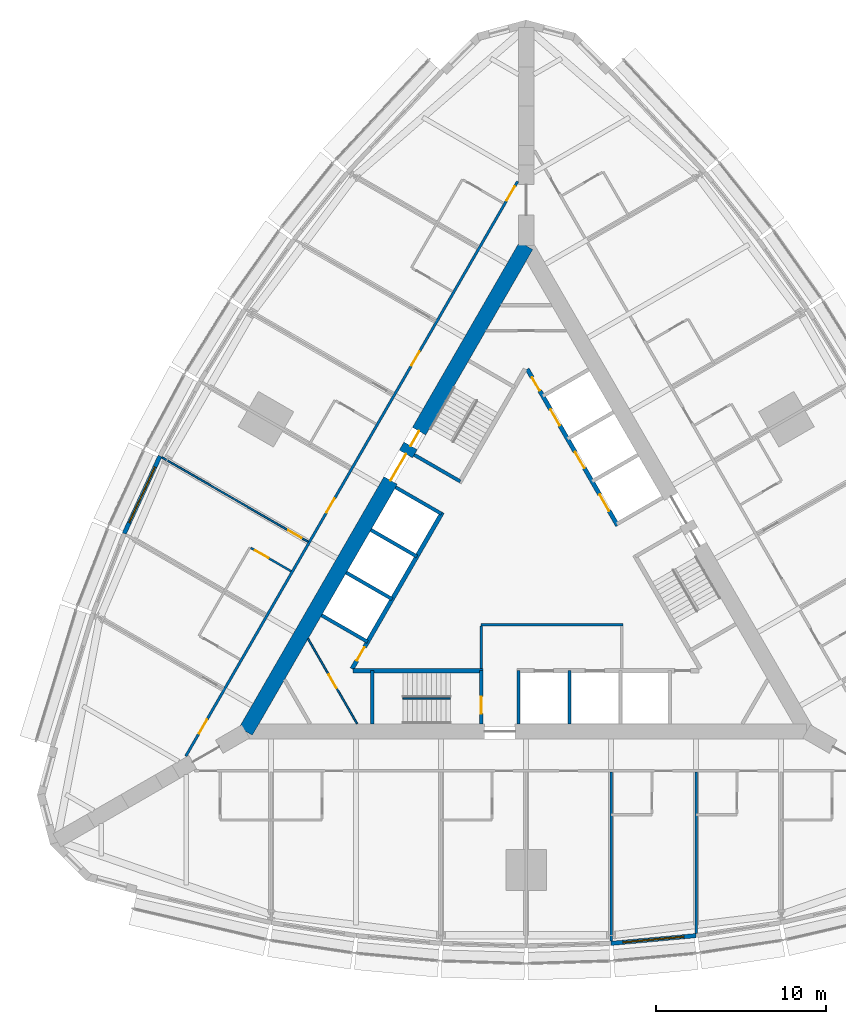
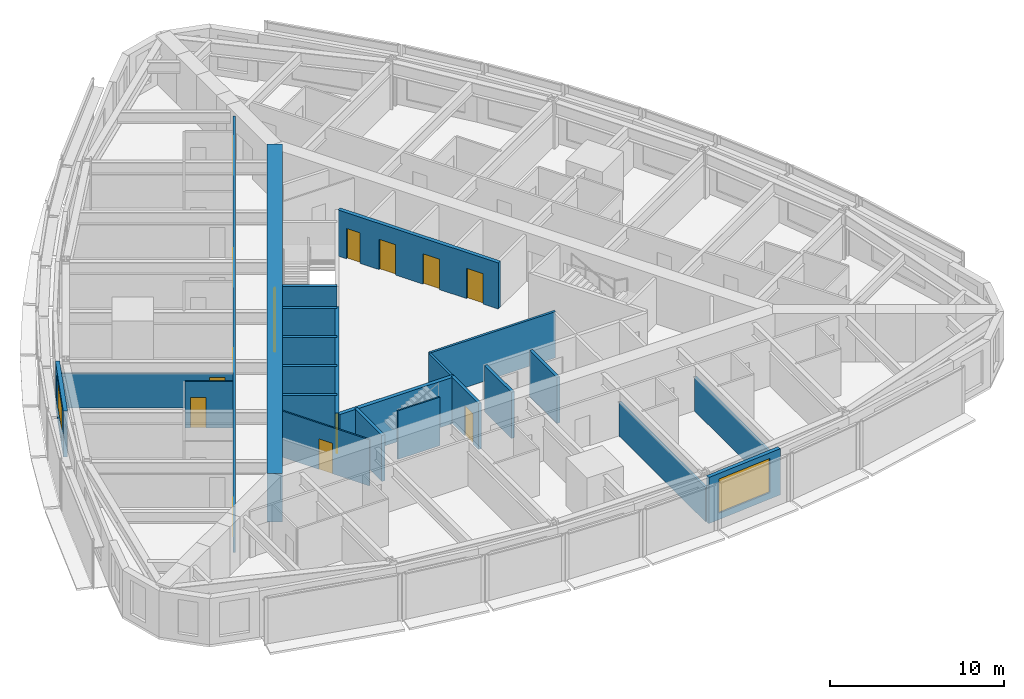
# One storey, part 9 of 14: 24 walls, 15 doors, 2 windows, 17 openings.
"""IFC4 building model written with IfcOpenShell, lengths in metres."""

from ifc_helpers import new_model, si_unit, direction, frame, frame_2d, origin, place, context, subcontext, project, spatial, rectangle, extrude, material, layer, layer_set, type_object, element, fill, save


model = new_model("IFC4")

# Units and contexts
model_context = context("Model", 3, precision=1e-05, world=origin(), true_north=direction((0.0, 1.0)))
body_context = subcontext(model_context, "Body", "Model", "MODEL_VIEW")
ifc_project = project(units=[si_unit("LENGTHUNIT", "METRE"), si_unit("AREAUNIT", "SQUARE_METRE"), si_unit("VOLUMEUNIT", "CUBIC_METRE"), si_unit("PLANEANGLEUNIT", "RADIAN"), si_unit("MASSUNIT", "GRAM", prefix="KILO")], contexts=[model_context])

# Site, building, storey
site_placement = place(None, origin())
site = spatial("IfcSite", under=ifc_project, at=site_placement, CompositionType="ELEMENT")
building_placement = place(site_placement, origin())
building = spatial("IfcBuilding", under=site, at=building_placement, Name="Trikona Tower", CompositionType="ELEMENT")
storey_placement = place(building_placement, frame((0.0, 0.0, 82.89990234375)))
storey = spatial("IfcBuildingStorey", under=building, at=storey_placement, Name="L21", CompositionType="ELEMENT", Elevation=82.89990234375)

# Wall, opening, door
ifc_material_1 = material(Name="Metal stud and cement board", Category="gypsum")
ifc_layer_1 = layer(ifc_material_1, 0.1201171875)
ifc_layer_set_1 = layer_set([ifc_layer_1], Name="Bathroom wall 120")
wall_type_1 = type_object("IfcWallType", Name="Bathroom wall 120", PredefinedType="PLUMBINGWALL", material=ifc_layer_set_1)
wall_1_placement = place(storey_placement, frame((-13.82861328125, -0.09912109375, 0.0), z_axis=(0.0, 0.0, 1.0), x_axis=(-0.865997131366, 0.500048966069, 0.0)))
wall_1 = element("IfcWall", 1, at=wall_1_placement, inside=storey, type_object=wall_type_1, Name="Bathroom wall 2115.1", PredefinedType="PLUMBINGWALL", context=body_context, shape_type="SweptSolid", body=[
    extrude(rectangle(XDim=2.739990234375, YDim=0.1201171875, at=frame_2d((1.3701171875, 0.0))), origin(), (0.0, 0.0, 1.0), 3.235107421875),
])
opening_1_placement = place(wall_1_placement, frame((1.550048828125, 0.0, 0.0)))
opening_1 = element("IfcOpeningElement", 2, at=opening_1_placement, cuts=wall_1, Name="Opening D2", PredefinedType="OPENING", context=body_context, shape_type="SweptSolid", body=[
    extrude(rectangle(XDim=0.89990234375, YDim=2.1298828125, at=frame_2d((0.449951171875, 1.06494140625))), frame((0.0, 0.070068359375, 0.0), z_axis=(0.0, -1.0, 0.0), x_axis=(1.0, 0.0, 0.0)), (0.0, 0.0, 1.0), 0.14013671875),
])
ifc_material_2 = material(Name="Steel door frame with solid-core timber leaf", Category="steel")
door_type_1 = type_object("IfcDoorType", Name="Bathroom door 900x2130", OperationType="SLIDING_TO_LEFT", PredefinedType="DOOR", material=ifc_material_2)
door_1_placement = place(opening_1_placement, origin())
door_1 = element("IfcDoor", 3, at=door_1_placement, inside=storey, type_object=door_type_1, Name="Bathroom door 2115.1", OperationType="SLIDING_TO_LEFT", OverallHeight=2.1298828125, OverallWidth=0.89990234375, PredefinedType="DOOR", context=body_context, shape_type="SweptSolid", body=[
    extrude(rectangle(XDim=0.89990234375, YDim=2.1298828125, at=frame_2d((0.449951171875, 1.06494140625))), frame((0.0, 0.02490234375, 0.0), z_axis=(0.0, -1.0, 0.0), x_axis=(1.0, 0.0, 0.0)), (0.0, 0.0, 1.0), 0.050048828125),
])
fill(opening_1, door_1)

# Wall, openings, doors
ifc_material_3 = material(Name="Concrete f'c 10000 psi", Category="concrete")
ifc_layer_2 = layer(ifc_material_3, 0.89990234375)
ifc_layer_set_2 = layer_set([ifc_layer_2], Name="Core wall 900")
wall_type_2 = type_object("IfcWallType", Name="Core wall 900", PredefinedType="SHEAR", material=ifc_layer_set_2)
wall_2_placement = place(storey_placement, frame((0.0, 19.052490234375, 0.0), z_axis=(0.0, 0.0, 1.0), x_axis=(-0.499999749417, -0.866025548458, 0.0)))
wall_2 = element("IfcWall", 4, at=wall_2_placement, inside=storey, type_object=wall_type_2, Name="Core wall C", PredefinedType="SHEAR", context=body_context, shape_type="SweptSolid", body=[
    extrude(rectangle(XDim=33.0, YDim=0.89990234375, at=frame_2d((16.5, 0.0))), origin(), (0.0, 0.0, 1.0), 3.400146484375),
])
opening_2_placement = place(wall_2_placement, frame((14.14990234375, 0.0, 0.0)))
opening_2 = element("IfcOpeningElement", 5, at=opening_2_placement, cuts=wall_2, Name="Opening D6", PredefinedType="OPENING", context=body_context, shape_type="SweptSolid", body=[
    extrude(rectangle(XDim=1.800048828125, YDim=2.1298828125, at=frame_2d((0.89990234375, 1.06494140625))), frame((0.0, 0.4599609375, 0.0), z_axis=(0.0, -1.0, 0.0), x_axis=(1.0, 0.0, 0.0)), (0.0, 0.0, 1.0), 0.919921875),
])
opening_3_placement = place(wall_2_placement, frame((12.60009765625, 0.0, 0.0)))
opening_3 = element("IfcOpeningElement", 6, at=opening_3_placement, cuts=wall_2, Name="Opening D5", PredefinedType="OPENING", context=body_context, shape_type="SweptSolid", body=[
    extrude(rectangle(XDim=1.0, YDim=2.1298828125, at=frame_2d((0.5, 1.06494140625))), frame((0.0, 0.4599609375, 0.0), z_axis=(0.0, -1.0, 0.0), x_axis=(1.0, 0.0, 0.0)), (0.0, 0.0, 1.0), 0.919921875),
])
ifc_material_4 = material(Name="Hollow metal door and frame", Category="steel")
door_type_2 = type_object("IfcDoorType", Name="Lobby door pair 1800x2130", OperationType="DOUBLE_DOOR_SINGLE_SWING", PredefinedType="DOOR", material=ifc_material_4)
door_2_placement = place(opening_2_placement, origin())
door_2 = element("IfcDoor", 7, at=door_2_placement, inside=storey, type_object=door_type_2, Name="Lift lobby door C", OperationType="DOUBLE_DOOR_SINGLE_SWING", OverallHeight=2.1298828125, OverallWidth=1.800048828125, PredefinedType="DOOR", context=body_context, shape_type="SweptSolid", body=[
    extrude(rectangle(XDim=1.800048828125, YDim=2.1298828125, at=frame_2d((0.89990234375, 1.06494140625))), frame((0.0, 0.02490234375, 0.0), z_axis=(0.0, -1.0, 0.0), x_axis=(1.0, 0.0, 0.0)), (0.0, 0.0, 1.0), 0.050048828125),
])
fill(opening_2, door_2)
ifc_material_5 = material(Name="Hollow metal door and frame", Category="steel")
door_type_3 = type_object("IfcDoorType", Name="Stair door 1000x2130", OperationType="SINGLE_SWING_LEFT", PredefinedType="DOOR", material=ifc_material_5)
door_3_placement = place(opening_3_placement, origin())
door_3 = element("IfcDoor", 8, at=door_3_placement, inside=storey, type_object=door_type_3, Name="Stair C door", OperationType="SINGLE_SWING_RIGHT", OverallHeight=2.1298828125, OverallWidth=1.0, PredefinedType="DOOR", context=body_context, shape_type="SweptSolid", body=[
    extrude(rectangle(XDim=1.0, YDim=2.1298828125, at=frame_2d((0.5, 1.06494140625))), frame((0.0, 0.02490234375, 0.0), z_axis=(0.0, -1.0, 0.0), x_axis=(1.0, 0.0, 0.0)), (0.0, 0.0, 1.0), 0.050048828125),
])
fill(opening_3, door_3)

ifc_material_6 = material(Name="Metal stud and gypsum board, 1-hour", Category="gypsum")
ifc_layer_3 = layer(ifc_material_6, 0.14990234375)
ifc_layer_set_3 = layer_set([ifc_layer_3], Name="Corridor wall 150")
wall_type_3 = type_object("IfcWallType", Name="Corridor wall 150", PredefinedType="PARTITIONING", material=ifc_layer_set_3)
wall_3_placement = place(storey_placement, frame((-0.5, 22.83642578125, 0.0), z_axis=(0.0, 0.0, 1.0), x_axis=(-0.500001677587, -0.866024435227, 0.0)))
wall_3 = element("IfcWall", 9, at=wall_3_placement, inside=storey, type_object=wall_type_3, Name="Corridor wall L21-3", PredefinedType="PARTITIONING", context=body_context, shape_type="SweptSolid", body=[
    extrude(rectangle(XDim=39.053955078125, YDim=0.14990234375, at=frame_2d((19.52685546875, 0.0))), origin(), (0.0, 0.0, 1.0), 3.235107421875),
])
opening_4_placement = place(wall_3_placement, frame((0.35205078125, 0.0, 0.0)))
opening_4 = element("IfcOpeningElement", 10, at=opening_4_placement, cuts=wall_3, Name="Opening D1", PredefinedType="OPENING", context=body_context, shape_type="SweptSolid", body=[
    extrude(rectangle(XDim=0.949951171875, YDim=2.1298828125, at=frame_2d((0.47509765625, 1.06494140625))), frame((0.0, 0.0849609375, 0.0), z_axis=(0.0, -1.0, 0.0), x_axis=(1.0, 0.0, 0.0)), (0.0, 0.0, 1.0), 0.169921875),
])
opening_5_placement = place(wall_3_placement, frame((11.552001953125, 0.0, 0.0)))
opening_5 = element("IfcOpeningElement", 11, at=opening_5_placement, cuts=wall_3, Name="Opening D1", PredefinedType="OPENING", context=body_context, shape_type="SweptSolid", body=[
    extrude(rectangle(XDim=0.949951171875, YDim=2.1298828125, at=frame_2d((0.47509765625, 1.06494140625))), frame((0.0, 0.0849609375, 0.0), z_axis=(0.0, -1.0, 0.0), x_axis=(1.0, 0.0, 0.0)), (0.0, 0.0, 1.0), 0.169921875),
])
opening_6_placement = place(wall_3_placement, frame((21.552001953125, 0.0, 0.0)))
opening_6 = element("IfcOpeningElement", 12, at=opening_6_placement, cuts=wall_3, Name="Opening D1", PredefinedType="OPENING", context=body_context, shape_type="SweptSolid", body=[
    extrude(rectangle(XDim=0.949951171875, YDim=2.1298828125, at=frame_2d((0.47509765625, 1.06494140625))), frame((0.0, 0.0849609375, 0.0), z_axis=(0.0, -1.0, 0.0), x_axis=(1.0, 0.0, 0.0)), (0.0, 0.0, 1.0), 0.169921875),
])
opening_7_placement = place(wall_3_placement, frame((36.545654296875, 0.0, 0.0)))
opening_7 = element("IfcOpeningElement", 13, at=opening_7_placement, cuts=wall_3, Name="Opening D1", PredefinedType="OPENING", context=body_context, shape_type="SweptSolid", body=[
    extrude(rectangle(XDim=0.949951171875, YDim=2.1298828125, at=frame_2d((0.47509765625, 1.06494140625))), frame((0.0, 0.0849609375, 0.0), z_axis=(0.0, -1.0, 0.0), x_axis=(1.0, 0.0, 0.0)), (0.0, 0.0, 1.0), 0.169921875),
])
ifc_material_7 = material(Name="Steel door frame with solid-core timber leaf", Category="steel")
door_type_4 = type_object("IfcDoorType", Name="Guest room door 950x2130", OperationType="SINGLE_SWING_LEFT", PredefinedType="DOOR", material=ifc_material_7)
door_4_placement = place(opening_4_placement, origin())
door_4 = element("IfcDoor", 14, at=door_4_placement, inside=storey, type_object=door_type_4, Name="Room door 2113", OperationType="SINGLE_SWING_LEFT", OverallHeight=2.1298828125, OverallWidth=0.949951171875, PredefinedType="DOOR", context=body_context, shape_type="SweptSolid", body=[
    extrude(rectangle(XDim=0.949951171875, YDim=2.1298828125, at=frame_2d((0.47509765625, 1.06494140625))), frame((0.0, 0.02490234375, 0.0), z_axis=(0.0, -1.0, 0.0), x_axis=(1.0, 0.0, 0.0)), (0.0, 0.0, 1.0), 0.050048828125),
])
fill(opening_4, door_4)
door_5_placement = place(opening_5_placement, origin())
door_5 = element("IfcDoor", 15, at=door_5_placement, inside=storey, type_object=door_type_4, Name="Room door 2114", OperationType="SINGLE_SWING_RIGHT", OverallHeight=2.1298828125, OverallWidth=0.949951171875, PredefinedType="DOOR", context=body_context, shape_type="SweptSolid", body=[
    extrude(rectangle(XDim=0.949951171875, YDim=2.1298828125, at=frame_2d((0.47509765625, 1.06494140625))), frame((0.0, 0.02490234375, 0.0), z_axis=(0.0, -1.0, 0.0), x_axis=(1.0, 0.0, 0.0)), (0.0, 0.0, 1.0), 0.050048828125),
])
fill(opening_5, door_5)
door_6_placement = place(opening_6_placement, origin())
door_6 = element("IfcDoor", 16, at=door_6_placement, inside=storey, type_object=door_type_4, Name="Room door 2115", OperationType="SINGLE_SWING_LEFT", OverallHeight=2.1298828125, OverallWidth=0.949951171875, PredefinedType="DOOR", context=body_context, shape_type="SweptSolid", body=[
    extrude(rectangle(XDim=0.949951171875, YDim=2.1298828125, at=frame_2d((0.47509765625, 1.06494140625))), frame((0.0, 0.02490234375, 0.0), z_axis=(0.0, -1.0, 0.0), x_axis=(1.0, 0.0, 0.0)), (0.0, 0.0, 1.0), 0.050048828125),
])
fill(opening_6, door_6)
door_7_placement = place(opening_7_placement, origin())
door_7 = element("IfcDoor", 17, at=door_7_placement, inside=storey, type_object=door_type_4, Name="Room door 2116", OperationType="SINGLE_SWING_RIGHT", OverallHeight=2.1298828125, OverallWidth=0.949951171875, PredefinedType="DOOR", context=body_context, shape_type="SweptSolid", body=[
    extrude(rectangle(XDim=0.949951171875, YDim=2.1298828125, at=frame_2d((0.47509765625, 1.06494140625))), frame((0.0, 0.02490234375, 0.0), z_axis=(0.0, -1.0, 0.0), x_axis=(1.0, 0.0, 0.0)), (0.0, 0.0, 1.0), 0.050048828125),
])
fill(opening_7, door_7)

# Wall
ifc_material_8 = material(Name="Concrete f'c 8000 psi", Category="concrete")
ifc_layer_4 = layer(ifc_material_8, 0.25)
ifc_layer_set_4 = layer_set([ifc_layer_4], Name="Hub wall 250")
wall_type_4 = type_object("IfcWallType", Name="Hub wall 250", PredefinedType="SOLIDWALL", material=ifc_layer_set_4)
wall_4_placement = place(storey_placement, frame((-10.182861328125, -5.951416015625, 0.0), z_axis=(0.0, 0.0, 1.0), x_axis=(1.0, 0.0, 0.0)))
element("IfcWall", 18, at=wall_4_placement, inside=storey, type_object=wall_type_4, Name="Lift lobby wall A1", PredefinedType="SOLIDWALL", context=body_context, shape_type="SweptSolid", body=[
    extrude(rectangle(XDim=7.6328125, YDim=0.25, at=frame_2d((3.81640625, 0.0))), origin(), (0.0, 0.0, 1.0), 3.235107421875),
])

# Wall, openings, doors
wall_5_placement = place(storey_placement, frame((5.37890625, 2.5859375, 0.0), z_axis=(0.0, 0.0, 1.0), x_axis=(-0.500001375892, 0.866024609411, 0.0)))
wall_5 = element("IfcWall", 19, at=wall_5_placement, inside=storey, type_object=wall_type_4, Name="Lift lobby wall B2", PredefinedType="SOLIDWALL", context=body_context, shape_type="SweptSolid", body=[
    extrude(rectangle(XDim=10.6328125, YDim=0.25, at=frame_2d((5.31640625, 0.0))), origin(), (0.0, 0.0, 1.0), 3.235107421875),
])
opening_8_placement = place(wall_5_placement, frame((9.1640625, 0.0, 0.0)))
opening_8 = element("IfcOpeningElement", 20, at=opening_8_placement, cuts=wall_5, Name="Opening D14", PredefinedType="OPENING", context=body_context, shape_type="SweptSolid", body=[
    extrude(rectangle(XDim=0.89990234375, YDim=2.1298828125, at=frame_2d((0.449951171875, 1.06494140625))), frame((0.0, 0.135009765625, 0.0), z_axis=(0.0, -1.0, 0.0), x_axis=(1.0, 0.0, 0.0)), (0.0, 0.0, 1.0), 0.27001953125),
])
opening_9_placement = place(wall_5_placement, frame((1.0, 0.0, 0.0)))
opening_9 = element("IfcOpeningElement", 21, at=opening_9_placement, cuts=wall_5, Name="Opening LD", PredefinedType="OPENING", context=body_context, shape_type="SweptSolid", body=[
    extrude(rectangle(XDim=1.10009765625, YDim=2.1298828125, at=frame_2d((0.550048828125, 1.06494140625))), frame((0.0, 0.135009765625, 0.0), z_axis=(0.0, -1.0, 0.0), x_axis=(1.0, 0.0, 0.0)), (0.0, 0.0, 1.0), 0.27001953125),
])
opening_10_placement = place(wall_5_placement, frame((3.89990234375, 0.0, 0.0)))
opening_10 = element("IfcOpeningElement", 22, at=opening_10_placement, cuts=wall_5, Name="Opening LD", PredefinedType="OPENING", context=body_context, shape_type="SweptSolid", body=[
    extrude(rectangle(XDim=1.10009765625, YDim=2.1298828125, at=frame_2d((0.550048828125, 1.06494140625))), frame((0.0, 0.135009765625, 0.0), z_axis=(0.0, -1.0, 0.0), x_axis=(1.0, 0.0, 0.0)), (0.0, 0.0, 1.0), 0.27001953125),
])
opening_11_placement = place(wall_5_placement, frame((6.800048828125, 0.0, 0.0)))
opening_11 = element("IfcOpeningElement", 23, at=opening_11_placement, cuts=wall_5, Name="Opening LD", PredefinedType="OPENING", context=body_context, shape_type="SweptSolid", body=[
    extrude(rectangle(XDim=1.10009765625, YDim=2.1298828125, at=frame_2d((0.550048828125, 1.06494140625))), frame((0.0, 0.135009765625, 0.0), z_axis=(0.0, -1.0, 0.0), x_axis=(1.0, 0.0, 0.0)), (0.0, 0.0, 1.0), 0.27001953125),
])
ifc_material_9 = material(Name="Stainless steel lift landing door", Category="steel")
door_type_5 = type_object("IfcDoorType", Name="Lift landing door 1100x2130", OperationType="DOUBLE_DOOR_SLIDING", PredefinedType="USERDEFINED", material=ifc_material_9)
door_8_placement = place(opening_9_placement, origin())
door_8 = element("IfcDoor", 24, at=door_8_placement, inside=storey, type_object=door_type_5, Name="Lift landing door L1-1", ObjectType="LIFT LANDING DOOR", OperationType="DOUBLE_DOOR_SLIDING", OverallHeight=2.1298828125, OverallWidth=1.10009765625, PredefinedType="USERDEFINED", context=body_context, shape_type="SweptSolid", body=[
    extrude(rectangle(XDim=1.10009765625, YDim=2.1298828125, at=frame_2d((0.550048828125, 1.06494140625))), frame((0.0, 0.02490234375, 0.0), z_axis=(0.0, -1.0, 0.0), x_axis=(1.0, 0.0, 0.0)), (0.0, 0.0, 1.0), 0.050048828125),
])
fill(opening_9, door_8)
door_9_placement = place(opening_10_placement, origin())
door_9 = element("IfcDoor", 25, at=door_9_placement, inside=storey, type_object=door_type_5, Name="Lift landing door L1-2", ObjectType="LIFT LANDING DOOR", OperationType="DOUBLE_DOOR_SLIDING", OverallHeight=2.1298828125, OverallWidth=1.10009765625, PredefinedType="USERDEFINED", context=body_context, shape_type="SweptSolid", body=[
    extrude(rectangle(XDim=1.10009765625, YDim=2.1298828125, at=frame_2d((0.550048828125, 1.06494140625))), frame((0.0, 0.02490234375, 0.0), z_axis=(0.0, -1.0, 0.0), x_axis=(1.0, 0.0, 0.0)), (0.0, 0.0, 1.0), 0.050048828125),
])
fill(opening_10, door_9)
door_10_placement = place(opening_11_placement, origin())
door_10 = element("IfcDoor", 26, at=door_10_placement, inside=storey, type_object=door_type_5, Name="Lift landing door L1-3", ObjectType="LIFT LANDING DOOR", OperationType="DOUBLE_DOOR_SLIDING", OverallHeight=2.1298828125, OverallWidth=1.10009765625, PredefinedType="USERDEFINED", context=body_context, shape_type="SweptSolid", body=[
    extrude(rectangle(XDim=1.10009765625, YDim=2.1298828125, at=frame_2d((0.550048828125, 1.06494140625))), frame((0.0, 0.02490234375, 0.0), z_axis=(0.0, -1.0, 0.0), x_axis=(1.0, 0.0, 0.0)), (0.0, 0.0, 1.0), 0.050048828125),
])
fill(opening_11, door_10)
ifc_material_10 = material(Name="Hollow metal door and frame", Category="steel")
door_type_6 = type_object("IfcDoorType", Name="Service room door 900x2130", OperationType="SINGLE_SWING_LEFT", PredefinedType="DOOR", material=ifc_material_10)
door_11_placement = place(opening_8_placement, origin())
door_11 = element("IfcDoor", 27, at=door_11_placement, inside=storey, type_object=door_type_6, Name="Door Linen store LIN", OperationType="SINGLE_SWING_RIGHT", OverallHeight=2.1298828125, OverallWidth=0.89990234375, PredefinedType="DOOR", context=body_context, shape_type="SweptSolid", body=[
    extrude(rectangle(XDim=0.89990234375, YDim=2.1298828125, at=frame_2d((0.449951171875, 1.06494140625))), frame((0.0, 0.02490234375, 0.0), z_axis=(0.0, -1.0, 0.0), x_axis=(1.0, 0.0, 0.0)), (0.0, 0.0, 1.0), 0.050048828125),
])
fill(opening_8, door_11)

# Wall, opening, door
wall_6_placement = place(storey_placement, frame((-4.928955078125, 3.365478515625, 0.0), z_axis=(0.0, 0.0, 1.0), x_axis=(-0.499991433582, -0.866030349552, 0.0)))
wall_6 = element("IfcWall", 28, at=wall_6_placement, inside=storey, type_object=wall_type_4, Name="Lift lobby wall C2", PredefinedType="SOLIDWALL", context=body_context, shape_type="SweptSolid", body=[
    extrude(rectangle(XDim=10.633056640625, YDim=0.25, at=frame_2d((5.31640625, 0.0))), origin(), (0.0, 0.0, 1.0), 3.235107421875),
])
opening_12_placement = place(wall_6_placement, frame((9.1640625, 0.0, 0.0)))
opening_12 = element("IfcOpeningElement", 29, at=opening_12_placement, cuts=wall_6, Name="Opening D14", PredefinedType="OPENING", context=body_context, shape_type="SweptSolid", body=[
    extrude(rectangle(XDim=0.89990234375, YDim=2.1298828125, at=frame_2d((0.449951171875, 1.06494140625))), frame((0.0, 0.135009765625, 0.0), z_axis=(0.0, -1.0, 0.0), x_axis=(1.0, 0.0, 0.0)), (0.0, 0.0, 1.0), 0.27001953125),
])
door_12_placement = place(opening_12_placement, origin())
door_12 = element("IfcDoor", 30, at=door_12_placement, inside=storey, type_object=door_type_6, Name="Door Ice and vending ICE", OperationType="SINGLE_SWING_RIGHT", OverallHeight=2.1298828125, OverallWidth=0.89990234375, PredefinedType="DOOR", context=body_context, shape_type="SweptSolid", body=[
    extrude(rectangle(XDim=0.89990234375, YDim=2.1298828125, at=frame_2d((0.449951171875, 1.06494140625))), frame((0.0, 0.02490234375, 0.0), z_axis=(0.0, -1.0, 0.0), x_axis=(1.0, 0.0, 0.0)), (0.0, 0.0, 1.0), 0.050048828125),
])
fill(opening_12, door_12)

# Wall, opening, window
ifc_material_11 = material(Name="Insulated precast concrete spandrel panel", Category="concrete")
ifc_layer_5 = layer(ifc_material_11, 0.25)
ifc_layer_set_5 = layer_set([ifc_layer_5], Name="Inner skin wall 250")
wall_type_5 = type_object("IfcWallType", Name="Inner skin wall 250", PredefinedType="STANDARD", material=ifc_layer_set_5)
wall_7_placement = place(storey_placement, frame((4.988525390625, -21.995849609375, 0.0), z_axis=(0.0, 0.0, 1.0), x_axis=(0.995857256774, 0.090930325692, 0.0)))
wall_7 = element("IfcWall", 31, at=wall_7_placement, inside=storey, type_object=wall_type_5, Name="External wall L21-05", PredefinedType="STANDARD", context=body_context, shape_type="SweptSolid", body=[
    extrude(rectangle(XDim=5.020751953125, YDim=0.25, at=frame_2d((2.51025390625, 0.0))), origin(), (0.0, 0.0, 1.0), 3.235107421875),
])
opening_13_placement = place(wall_7_placement, frame((0.71044921875, 0.0, 0.449951171875)))
opening_13 = element("IfcOpeningElement", 32, at=opening_13_placement, cuts=wall_7, Name="Opening W3624", PredefinedType="OPENING", context=body_context, shape_type="SweptSolid", body=[
    extrude(rectangle(XDim=3.60009765625, YDim=2.39990234375, at=frame_2d((1.800048828125, 1.199951171875))), frame((0.0, 0.135009765625, 0.0), z_axis=(0.0, -1.0, 0.0), x_axis=(1.0, 0.0, 0.0)), (0.0, 0.0, 1.0), 0.27001953125),
])
ifc_material_12 = material(Name="Aluminium-framed double glazing", Category="aluminium")
window_type = type_object("IfcWindowType", Name="Window 3600x2400", PartitioningType="SINGLE_PANEL", PredefinedType="WINDOW", material=ifc_material_12)
window_1_placement = place(opening_13_placement, origin())
window_1 = element("IfcWindow", 33, at=window_1_placement, inside=storey, type_object=window_type, Name="Window 2104", OverallHeight=2.39990234375, OverallWidth=3.60009765625, PartitioningType="SINGLE_PANEL", PredefinedType="WINDOW", context=body_context, shape_type="SweptSolid", body=[
    extrude(rectangle(XDim=3.60009765625, YDim=2.39990234375, at=frame_2d((1.800048828125, 1.199951171875))), frame((0.0, 0.030029296875, 0.0), z_axis=(0.0, -1.0, 0.0), x_axis=(1.0, 0.0, 0.0)), (0.0, 0.0, 1.0), 0.06005859375),
])
fill(opening_13, window_1)

wall_8_placement = place(storey_placement, frame((-21.543212890625, 6.677734375, 0.0), z_axis=(0.0, 0.0, 1.0), x_axis=(-0.419203100754, -0.907892482796, 0.0)))
wall_8 = element("IfcWall", 34, at=wall_8_placement, inside=storey, type_object=wall_type_5, Name="External wall L21-29", PredefinedType="STANDARD", context=body_context, shape_type="SweptSolid", body=[
    extrude(rectangle(XDim=5.020751953125, YDim=0.25, at=frame_2d((2.51025390625, 0.0))), origin(), (0.0, 0.0, 1.0), 3.235107421875),
])
opening_14_placement = place(wall_8_placement, frame((0.71044921875, 0.0, 0.449951171875)))
opening_14 = element("IfcOpeningElement", 35, at=opening_14_placement, cuts=wall_8, Name="Opening W3624", PredefinedType="OPENING", context=body_context, shape_type="SweptSolid", body=[
    extrude(rectangle(XDim=3.60009765625, YDim=2.39990234375, at=frame_2d((1.800048828125, 1.199951171875))), frame((0.0, 0.135009765625, 0.0), z_axis=(0.0, -1.0, 0.0), x_axis=(1.0, 0.0, 0.0)), (0.0, 0.0, 1.0), 0.27001953125),
])
window_2_placement = place(opening_14_placement, origin())
window_2 = element("IfcWindow", 36, at=window_2_placement, inside=storey, type_object=window_type, Name="Window 2115.1", OverallHeight=2.39990234375, OverallWidth=3.60009765625, PartitioningType="SINGLE_PANEL", PredefinedType="WINDOW", context=body_context, shape_type="SweptSolid", body=[
    extrude(rectangle(XDim=3.60009765625, YDim=2.39990234375, at=frame_2d((1.800048828125, 1.199951171875))), frame((0.0, 0.030029296875, 0.0), z_axis=(0.0, -1.0, 0.0), x_axis=(1.0, 0.0, 0.0)), (0.0, 0.0, 1.0), 0.06005859375),
])
fill(opening_14, window_2)

# Walls
ifc_material_13 = material(Name="Metal stud and gypsum board, 2-hour shaft wall", Category="gypsum")
ifc_layer_6 = layer(ifc_material_13, 0.14990234375)
ifc_layer_set_6 = layer_set([ifc_layer_6], Name="Lobby wall 150")
wall_type_6 = type_object("IfcWallType", Name="Lobby wall 150", PredefinedType="PARTITIONING", material=ifc_layer_set_6)
wall_9_placement = place(storey_placement, frame((-2.64990234375, -3.251220703125, 0.0), z_axis=(0.0, 0.0, 1.0), x_axis=(1.0, 0.0, 0.0)))
element("IfcWall", 37, at=wall_9_placement, inside=storey, type_object=wall_type_6, Name="Fire service lift lobby wall 1", PredefinedType="PARTITIONING", context=body_context, shape_type="SweptSolid", body=[
    extrude(rectangle(XDim=8.349853515625, YDim=0.14990234375, at=frame_2d((4.1748046875, 0.0))), origin(), (0.0, 0.0, 1.0), 3.235107421875),
])
wall_10_placement = place(storey_placement, frame((-2.64990234375, -5.826416015625, 0.0), z_axis=(0.0, 0.0, 1.0), x_axis=(0.0, 1.0, 0.0)))
element("IfcWall", 38, at=wall_10_placement, inside=storey, type_object=wall_type_6, Name="Fire service lift lobby wall 2", PredefinedType="PARTITIONING", context=body_context, shape_type="SweptSolid", body=[
    extrude(rectangle(XDim=2.5, YDim=0.14990234375, at=frame_2d((1.25, 0.0))), origin(), (0.0, 0.0, 1.0), 3.235107421875),
])
ifc_material_14 = material(Name="Metal stud and gypsum board, 1-hour acoustic", Category="gypsum")
ifc_layer_7 = layer(ifc_material_14, 0.14990234375)
ifc_layer_set_7 = layer_set([ifc_layer_7], Name="Party wall 150")
wall_type_7 = type_object("IfcWallType", Name="Party wall 150", PredefinedType="PARTITIONING", material=ifc_layer_set_7)
wall_11_placement = place(storey_placement, frame((5.0, -11.92626953125, 0.0), z_axis=(0.0, 0.0, 1.0), x_axis=(0.0, -1.0, 0.0)))
element("IfcWall", 39, at=wall_11_placement, inside=storey, type_object=wall_type_7, Name="Partition L21 F1 u5", PredefinedType="PARTITIONING", context=body_context, shape_type="SweptSolid", body=[
    extrude(rectangle(XDim=9.943115234375, YDim=0.14990234375, at=frame_2d((4.9716796875, 0.0))), origin(), (0.0, 0.0, 1.0), 2.389404296875),
])
wall_12_placement = place(storey_placement, frame((10.0, -11.92626953125, 0.0), z_axis=(0.0, 0.0, 1.0), x_axis=(0.0, -1.0, 0.0)))
element("IfcWall", 40, at=wall_12_placement, inside=storey, type_object=wall_type_7, Name="Partition L21 F1 u10", PredefinedType="PARTITIONING", context=body_context, shape_type="SweptSolid", body=[
    extrude(rectangle(XDim=9.484619140625, YDim=0.14990234375, at=frame_2d((4.7421875, 0.0))), origin(), (0.0, 0.0, 1.0), 2.389404296875),
])
ifc_material_15 = material(Name="Concrete f'c 8000 psi", Category="concrete")
ifc_layer_8 = layer(ifc_material_15, 0.199951171875)
ifc_layer_set_8 = layer_set([ifc_layer_8], Name="Shaft wall 200")
wall_type_8 = type_object("IfcWallType", Name="Shaft wall 200", PredefinedType="SOLIDWALL", material=ifc_layer_set_8)
for number, where, z_axis, x_axis, name in (
    (41, (-0.449951171875, -5.951416015625, 0.0), (0.0, 0.0, 1.0), (0.0, -1.0, 0.0), "Shaft wall A3"),
    (42, (2.550048828125, -5.951416015625, 0.0), (0.0, 0.0, 1.0), (0.0, -1.0, 0.0), "Shaft wall A4"),
    (43, (-4.97900390625, 3.27880859375, 0.0), (0.0, 0.0, 1.0), (-0.866022959057, 0.500004234368, 0.0), "Shaft wall C3"),
    (44, (-6.428955078125, 0.767333984375, 0.0), (0.0, 0.0, 1.0), (-0.866022959057, 0.500004234368, 0.0), "Shaft wall C4"),
    (45, (-7.87890625, -1.744140625, 0.0), (0.0, 0.0, 1.0), (-0.866022959057, 0.500004234368, 0.0), "Shaft wall C5"),
    (46, (-9.3291015625, -4.255615234375, 0.0), (0.0, 0.0, 1.0), (-0.866022959057, 0.500004234368, 0.0), "Shaft wall C6"),
):
    element("IfcWall", number, at=place(storey_placement, frame(where, z_axis=z_axis, x_axis=x_axis)), inside=storey, type_object=wall_type_8, Name=name, PredefinedType="SOLIDWALL", context=body_context, shape_type="SweptSolid", body=[
        extrude(rectangle(XDim=3.125, YDim=0.199951171875, at=frame_2d((1.5625, 0.0))), origin(), (0.0, 0.0, 1.0), 3.235107421875),
    ])
ifc_material_16 = material(Name="Concrete f'c 8000 psi", Category="concrete")
ifc_layer_9 = layer(ifc_material_16, 0.199951171875)
ifc_layer_set_9 = layer_set([ifc_layer_9], Name="Shaft wall 200 load-bearing")
wall_type_9 = type_object("IfcWallType", Name="Shaft wall 200 load-bearing", PredefinedType="SOLIDWALL", material=ifc_layer_set_9)
wall_13_placement = place(storey_placement, frame((-9.050048828125, -5.951416015625, 0.0), z_axis=(0.0, 0.0, 1.0), x_axis=(0.0, -1.0, 0.0)))
element("IfcWall", 47, at=wall_13_placement, inside=storey, type_object=wall_type_9, Name="Shaft wall A1", PredefinedType="SOLIDWALL", context=body_context, shape_type="SweptSolid", body=[
    extrude(rectangle(XDim=3.125, YDim=0.199951171875, at=frame_2d((1.5625, 0.0))), origin(), (0.0, 0.0, 1.0), 3.235107421875),
])

# Wall, opening, door
wall_14_placement = place(storey_placement, frame((-2.64990234375, -5.951416015625, 0.0), z_axis=(0.0, 0.0, 1.0), x_axis=(0.0, -1.0, 0.0)))
wall_14 = element("IfcWall", 48, at=wall_14_placement, inside=storey, type_object=wall_type_9, Name="Shaft wall A2", PredefinedType="SOLIDWALL", context=body_context, shape_type="SweptSolid", body=[
    extrude(rectangle(XDim=3.125, YDim=0.199951171875, at=frame_2d((1.5625, 0.0))), origin(), (0.0, 0.0, 1.0), 3.235107421875),
])
opening_15_placement = place(wall_14_placement, frame((1.52490234375, 0.0, 0.0)))
opening_15 = element("IfcOpeningElement", 49, at=opening_15_placement, cuts=wall_14, Name="Opening D5", PredefinedType="OPENING", context=body_context, shape_type="SweptSolid", body=[
    extrude(rectangle(XDim=1.0, YDim=2.1298828125, at=frame_2d((0.5, 1.06494140625))), frame((0.0, 0.10986328125, 0.0), z_axis=(0.0, -1.0, 0.0), x_axis=(1.0, 0.0, 0.0)), (0.0, 0.0, 1.0), 0.219970703125),
])
door_13_placement = place(opening_15_placement, origin())
door_13 = element("IfcDoor", 50, at=door_13_placement, inside=storey, type_object=door_type_3, Name="Stair A door", OperationType="SINGLE_SWING_RIGHT", OverallHeight=2.1298828125, OverallWidth=1.0, PredefinedType="DOOR", context=body_context, shape_type="SweptSolid", body=[
    extrude(rectangle(XDim=1.0, YDim=2.1298828125, at=frame_2d((0.5, 1.06494140625))), frame((0.0, 0.02490234375, 0.0), z_axis=(0.0, -1.0, 0.0), x_axis=(1.0, 0.0, 0.0)), (0.0, 0.0, 1.0), 0.050048828125),
])
fill(opening_15, door_13)

# Walls
wall_15_placement = place(storey_placement, frame((-3.87890625, 5.18408203125, 0.0), z_axis=(0.0, 0.0, 1.0), x_axis=(-0.866022959057, 0.500004234368, 0.0)))
element("IfcWall", 51, at=wall_15_placement, inside=storey, type_object=wall_type_9, Name="Shaft wall C2", PredefinedType="SOLIDWALL", context=body_context, shape_type="SweptSolid", body=[
    extrude(rectangle(XDim=3.125, YDim=0.199951171875, at=frame_2d((1.5625, 0.0))), origin(), (0.0, 0.0, 1.0), 3.235107421875),
])
ifc_material_17 = material(Name="Concrete f'c 5000 psi", Category="concrete")
ifc_layer_10 = layer(ifc_material_17, 0.10009765625)
ifc_layer_set_10 = layer_set([ifc_layer_10], Name="Stair spine wall 100")
wall_type_10 = type_object("IfcWallType", Name="Stair spine wall 100", PredefinedType="SOLIDWALL", material=ifc_layer_set_10)
wall_16_placement = place(storey_placement, frame((-7.2470703125, -7.576416015625, 0.0), z_axis=(0.0, 0.0, 1.0), x_axis=(1.0, 0.0, 0.0)))
element("IfcWall", 52, at=wall_16_placement, inside=storey, type_object=wall_type_10, Name="Stair A spine wall L21", PredefinedType="SOLIDWALL", context=body_context, shape_type="SweptSolid", body=[
    extrude(rectangle(XDim=2.794189453125, YDim=0.10009765625, at=frame_2d((1.39697265625, 0.0))), origin(), (0.0, 0.0, 1.0), 3.400146484375),
])

# Wall, opening, door
ifc_material_18 = material(Name="Metal stud and gypsum board, acoustic", Category="gypsum")
ifc_layer_11 = layer(ifc_material_18, 0.10009765625)
ifc_layer_set_11 = layer_set([ifc_layer_11], Name="Suite partition 100")
wall_type_11 = type_object("IfcWallType", Name="Suite partition 100", PredefinedType="PARTITIONING", material=ifc_layer_set_11)
wall_17_placement = place(storey_placement, frame((-12.82861328125, 1.633056640625, 0.0), z_axis=(0.0, 0.0, 1.0), x_axis=(-0.866026934769, 0.499997348248, 0.0)))
wall_17 = element("IfcWall", 53, at=wall_17_placement, inside=storey, type_object=wall_type_11, Name="Suite partition L21 F3 u5", PredefinedType="PARTITIONING", context=body_context, shape_type="SweptSolid", body=[
    extrude(rectangle(XDim=9.94287109375, YDim=0.10009765625, at=frame_2d((4.971435546875, 0.0))), origin(), (0.0, 0.0, 1.0), 2.389404296875),
])
opening_16_placement = place(wall_17_placement, frame((0.449951171875, 0.0, 0.0)))
opening_16 = element("IfcOpeningElement", 54, at=opening_16_placement, cuts=wall_17, Name="Opening D13", PredefinedType="OPENING", context=body_context, shape_type="SweptSolid", body=[
    extrude(rectangle(XDim=0.89990234375, YDim=2.1298828125, at=frame_2d((0.449951171875, 1.06494140625))), frame((0.0, 0.06005859375, 0.0), z_axis=(0.0, -1.0, 0.0), x_axis=(1.0, 0.0, 0.0)), (0.0, 0.0, 1.0), 0.1201171875),
])
ifc_material_19 = material(Name="Steel door frame with solid-core timber leaf", Category="steel")
door_type_7 = type_object("IfcDoorType", Name="Suite door 900x2130", OperationType="SINGLE_SWING_LEFT", PredefinedType="DOOR", material=ifc_material_19)
door_14_placement = place(opening_16_placement, origin())
door_14 = element("IfcDoor", 55, at=door_14_placement, inside=storey, type_object=door_type_7, Name="Suite door 2115", OperationType="SINGLE_SWING_LEFT", OverallHeight=2.1298828125, OverallWidth=0.89990234375, PredefinedType="DOOR", context=body_context, shape_type="SweptSolid", body=[
    extrude(rectangle(XDim=0.89990234375, YDim=2.1298828125, at=frame_2d((0.449951171875, 1.06494140625))), frame((0.0, 0.02490234375, 0.0), z_axis=(0.0, -1.0, 0.0), x_axis=(1.0, 0.0, 0.0)), (0.0, 0.0, 1.0), 0.050048828125),
])
fill(opening_16, door_14)

wall_18_placement = place(storey_placement, frame((-9.947021484375, -9.076416015625, 0.0), z_axis=(0.0, 0.0, 1.0), x_axis=(-0.500027479704, 0.866009537788, 0.0)))
wall_18 = element("IfcWall", 56, at=wall_18_placement, inside=storey, type_object=wall_type_11, Name="Store partition L21-RS3", PredefinedType="PARTITIONING", context=body_context, shape_type="SweptSolid", body=[
    extrude(rectangle(XDim=5.773681640625, YDim=0.10009765625, at=frame_2d((2.88671875, 0.0))), origin(), (0.0, 0.0, 1.0), 3.235107421875),
])
opening_17_placement = place(wall_18_placement, frame((2.436767578125, 0.0, 0.0)))
opening_17 = element("IfcOpeningElement", 57, at=opening_17_placement, cuts=wall_18, Name="Opening D15", PredefinedType="OPENING", context=body_context, shape_type="SweptSolid", body=[
    extrude(rectangle(XDim=0.89990234375, YDim=2.1298828125, at=frame_2d((0.449951171875, 1.06494140625))), frame((0.0, 0.06005859375, 0.0), z_axis=(0.0, -1.0, 0.0), x_axis=(1.0, 0.0, 0.0)), (0.0, 0.0, 1.0), 0.1201171875),
])
ifc_material_20 = material(Name="Steel door frame with solid-core timber leaf", Category="steel")
door_type_8 = type_object("IfcDoorType", Name="Store door 900x2130", OperationType="SINGLE_SWING_LEFT", PredefinedType="DOOR", material=ifc_material_20)
door_15_placement = place(opening_17_placement, origin())
door_15 = element("IfcDoor", 58, at=door_15_placement, inside=storey, type_object=door_type_8, Name="Door Storage STO", OperationType="SINGLE_SWING_RIGHT", OverallHeight=2.1298828125, OverallWidth=0.89990234375, PredefinedType="DOOR", context=body_context, shape_type="SweptSolid", body=[
    extrude(rectangle(XDim=0.89990234375, YDim=2.1298828125, at=frame_2d((0.449951171875, 1.06494140625))), frame((0.0, 0.02490234375, 0.0), z_axis=(0.0, -1.0, 0.0), x_axis=(1.0, 0.0, 0.0)), (0.0, 0.0, 1.0), 0.050048828125),
])
fill(opening_17, door_15)

save(model, "model.ifc")
